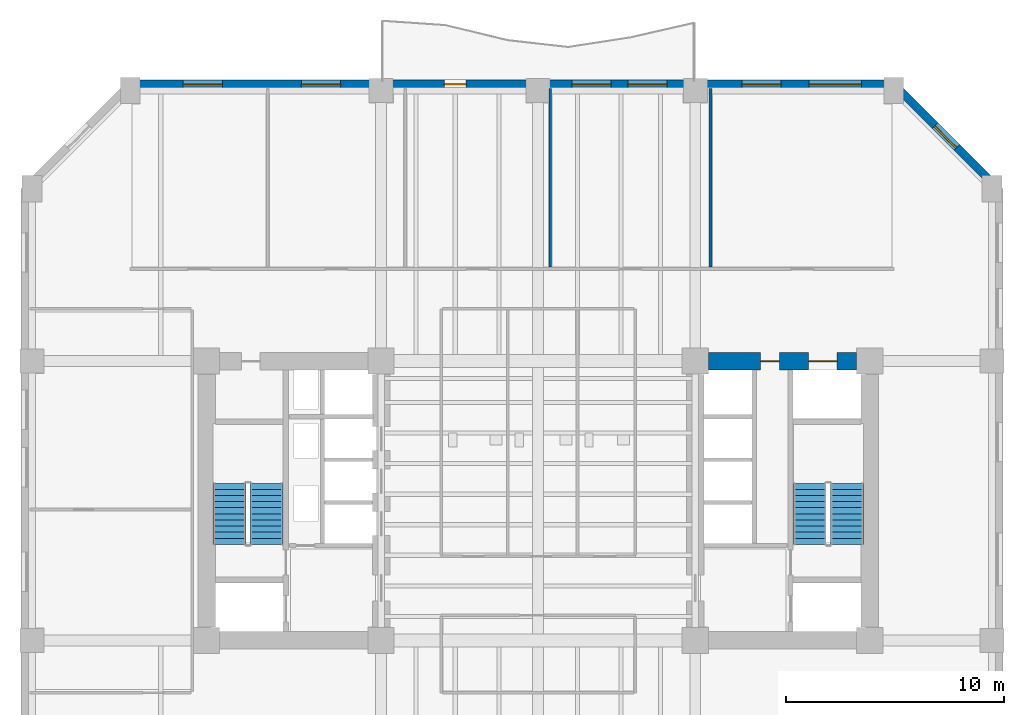
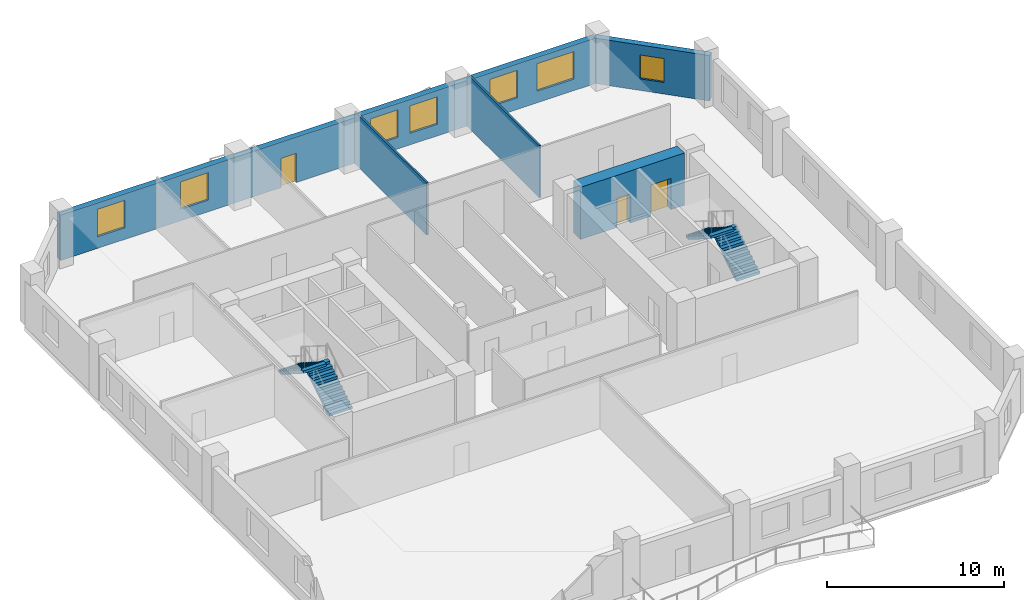
# One storey, part 5 of 9: 7 windows, 5 walls, 4 stair flights, 3 doors, 10 openings, 2 elements without a shape of their own.
"""IFC4 building model written with IfcOpenShell, lengths in metres."""

from ifc_helpers import new_model, si_unit, direction, frame, frame_2d, origin, place, context, subcontext, project, spatial, polyline, rectangle, outline, extrude, material, layer, layer_set, type_object, element, fill, aggregate, save


model = new_model("IFC4")

# Units and contexts
model_context = context("Model", 3, precision=1e-05, world=origin(), true_north=direction((0.0, 1.0)))
body_context = subcontext(model_context, "Body", "Model", "MODEL_VIEW")
ifc_project = project(units=[si_unit("LENGTHUNIT", "METRE"), si_unit("AREAUNIT", "SQUARE_METRE"), si_unit("VOLUMEUNIT", "CUBIC_METRE"), si_unit("PLANEANGLEUNIT", "RADIAN"), si_unit("MASSUNIT", "GRAM", prefix="KILO")], contexts=[model_context])

# Site, building, storey
site_placement = place(None, origin())
site = spatial("IfcSite", under=ifc_project, at=site_placement, CompositionType="ELEMENT")
building_placement = place(site_placement, origin())
building = spatial("IfcBuilding", under=site, at=building_placement, Name="Kranthara Brick Stack", CompositionType="ELEMENT")
storey_placement = place(building_placement, frame((0.0, 0.0, 28.199951171875)))
storey = spatial("IfcBuildingStorey", under=building, at=storey_placement, Name="L06", CompositionType="ELEMENT", Elevation=28.199951171875)

# Wall, openings, door, windows
ifc_material_1 = material(Name="Kiln-fired clay brick masonry M15", Category="masonry")
ifc_layer_1 = layer(ifc_material_1, 0.3798828125)
ifc_layer_set_1 = layer_set([ifc_layer_1], Name="Kiln-fired clay brick masonry M15")
wall_type_1 = type_object("IfcWallType", Name="WL-BRK-PIER-380", PredefinedType="STANDARD", material=ifc_layer_set_1)
wall_1_placement = place(storey_placement, frame((9.300048828125, 46.2900390625, 0.0), z_axis=(0.0, 0.0, 1.0), x_axis=(1.0, 0.0, 0.0)))
wall_1 = element("IfcWall", 1, at=wall_1_placement, inside=storey, type_object=wall_type_1, Name="L06 Exterior Brick Facade Wall NORTH 1", PredefinedType="STANDARD", context=body_context, shape_type="SweptSolid", body=[
    extrude(rectangle(XDim=35.0, YDim=0.3798828125, at=frame_2d((17.5, 0.0))), origin(), (0.0, 0.0, 1.0), 3.135009765625),
])
opening_1_placement = place(wall_1_placement, frame((14.39990234375, 0.0, 0.0)))
opening_1 = element("IfcOpeningElement", 2, at=opening_1_placement, cuts=wall_1, Name="Opening D03", PredefinedType="OPENING", context=body_context, shape_type="SweptSolid", body=[
    extrude(rectangle(XDim=1.0, YDim=2.02001953125, at=frame_2d((0.5, 1.010009765625))), frame((0.0, 0.199951171875, 0.0), z_axis=(0.0, -1.0, 0.0), x_axis=(1.0, 0.0, 0.0)), (0.0, 0.0, 1.0), 0.39990234375),
])
opening_2_placement = place(wall_1_placement, frame((2.425048828125, 0.0, 0.800048828125)))
opening_2 = element("IfcOpeningElement", 3, at=opening_2_placement, cuts=wall_1, Name="Opening WN01", PredefinedType="OPENING", context=body_context, shape_type="SweptSolid", body=[
    extrude(rectangle(XDim=1.800048828125, YDim=1.89990234375, at=frame_2d((0.89990234375, 0.949951171875))), frame((0.0, 0.199951171875, 0.0), z_axis=(0.0, -1.0, 0.0), x_axis=(1.0, 0.0, 0.0)), (0.0, 0.0, 1.0), 0.39990234375),
])
opening_3_placement = place(wall_1_placement, frame((7.85009765625, 0.0, 0.800048828125)))
opening_3 = element("IfcOpeningElement", 4, at=opening_3_placement, cuts=wall_1, Name="Opening WN01", PredefinedType="OPENING", context=body_context, shape_type="SweptSolid", body=[
    extrude(rectangle(XDim=1.800048828125, YDim=1.89990234375, at=frame_2d((0.89990234375, 0.949951171875))), frame((0.0, 0.199951171875, 0.0), z_axis=(0.0, -1.0, 0.0), x_axis=(1.0, 0.0, 0.0)), (0.0, 0.0, 1.0), 0.39990234375),
])
opening_4_placement = place(wall_1_placement, frame((20.240966796875, 0.0, 0.800048828125)))
opening_4 = element("IfcOpeningElement", 5, at=opening_4_placement, cuts=wall_1, Name="Opening WN01", PredefinedType="OPENING", context=body_context, shape_type="SweptSolid", body=[
    extrude(rectangle(XDim=1.800048828125, YDim=1.89990234375, at=frame_2d((0.89990234375, 0.949951171875))), frame((0.0, 0.199951171875, 0.0), z_axis=(0.0, -1.0, 0.0), x_axis=(1.0, 0.0, 0.0)), (0.0, 0.0, 1.0), 0.39990234375),
])
opening_5_placement = place(wall_1_placement, frame((22.80908203125, 0.0, 0.800048828125)))
opening_5 = element("IfcOpeningElement", 6, at=opening_5_placement, cuts=wall_1, Name="Opening WN01", PredefinedType="OPENING", context=body_context, shape_type="SweptSolid", body=[
    extrude(rectangle(XDim=1.800048828125, YDim=1.89990234375, at=frame_2d((0.89990234375, 0.949951171875))), frame((0.0, 0.199951171875, 0.0), z_axis=(0.0, -1.0, 0.0), x_axis=(1.0, 0.0, 0.0)), (0.0, 0.0, 1.0), 0.39990234375),
])
opening_6_placement = place(wall_1_placement, frame((28.032958984375, 0.0, 0.800048828125)))
opening_6 = element("IfcOpeningElement", 7, at=opening_6_placement, cuts=wall_1, Name="Opening WN01", PredefinedType="OPENING", context=body_context, shape_type="SweptSolid", body=[
    extrude(rectangle(XDim=1.800048828125, YDim=1.89990234375, at=frame_2d((0.89990234375, 0.949951171875))), frame((0.0, 0.199951171875, 0.0), z_axis=(0.0, -1.0, 0.0), x_axis=(1.0, 0.0, 0.0)), (0.0, 0.0, 1.0), 0.39990234375),
])
opening_7_placement = place(wall_1_placement, frame((31.116943359375, 0.0, 0.800048828125)))
opening_7 = element("IfcOpeningElement", 8, at=opening_7_placement, cuts=wall_1, Name="Opening WN02", PredefinedType="OPENING", context=body_context, shape_type="SweptSolid", body=[
    extrude(rectangle(XDim=2.39990234375, YDim=1.89990234375, at=frame_2d((1.199951171875, 0.949951171875))), frame((0.0, 0.199951171875, 0.0), z_axis=(0.0, -1.0, 0.0), x_axis=(1.0, 0.0, 0.0)), (0.0, 0.0, 1.0), 0.39990234375),
])
ifc_material_2 = material(Name="Bronze anodised aluminium and laminated glass", Category="aluminium")
door_type_1 = type_object("IfcDoorType", Name="DR-BALC-1000", OperationType="NOTDEFINED", PredefinedType="DOOR", material=ifc_material_2)
door_1_placement = place(opening_1_placement, origin())
door_1 = element("IfcDoor", 9, at=door_1_placement, inside=storey, type_object=door_type_1, Name="L06 North Balcony Terrace Door", OperationType="SINGLE_SWING_RIGHT", OverallHeight=2.02001953125, OverallWidth=1.0, PredefinedType="DOOR", context=body_context, shape_type="SweptSolid", body=[
    extrude(rectangle(XDim=1.0, YDim=2.02001953125, at=frame_2d((0.5, 1.010009765625))), frame((0.0, 0.02490234375, 0.0), z_axis=(0.0, -1.0, 0.0), x_axis=(1.0, 0.0, 0.0)), (0.0, 0.0, 1.0), 0.050048828125),
])
fill(opening_1, door_1)
ifc_material_3 = material(Name="Double-glazed low-E solar control glass", Category="glass")
window_type_1 = type_object("IfcWindowType", Name="WN-OFF-1800x2000", PartitioningType="SINGLE_PANEL", PredefinedType="WINDOW", material=ifc_material_3)
window_1_placement = place(opening_2_placement, origin())
window_1 = element("IfcWindow", 10, at=window_1_placement, inside=storey, type_object=window_type_1, Name="L06 North Deep-Set Brick Window 01", OverallHeight=1.89990234375, OverallWidth=1.800048828125, PartitioningType="SINGLE_PANEL", PredefinedType="WINDOW", context=body_context, shape_type="SweptSolid", body=[
    extrude(rectangle(XDim=1.800048828125, YDim=1.89990234375, at=frame_2d((0.89990234375, 0.949951171875))), frame((0.0, -0.010009765625, 0.0), z_axis=(0.0, -1.0, 0.0), x_axis=(1.0, 0.0, 0.0)), (0.0, 0.0, 1.0), 0.06005859375),
])
fill(opening_2, window_1)
window_2_placement = place(opening_3_placement, origin())
window_2 = element("IfcWindow", 11, at=window_2_placement, inside=storey, type_object=window_type_1, Name="L06 North Deep-Set Brick Window 02", OverallHeight=1.89990234375, OverallWidth=1.800048828125, PartitioningType="SINGLE_PANEL", PredefinedType="WINDOW", context=body_context, shape_type="SweptSolid", body=[
    extrude(rectangle(XDim=1.800048828125, YDim=1.89990234375, at=frame_2d((0.89990234375, 0.949951171875))), frame((0.0, -0.010009765625, 0.0), z_axis=(0.0, -1.0, 0.0), x_axis=(1.0, 0.0, 0.0)), (0.0, 0.0, 1.0), 0.06005859375),
])
fill(opening_3, window_2)
window_3_placement = place(opening_4_placement, origin())
window_3 = element("IfcWindow", 12, at=window_3_placement, inside=storey, type_object=window_type_1, Name="L06 North Deep-Set Brick Window 03", OverallHeight=1.89990234375, OverallWidth=1.800048828125, PartitioningType="SINGLE_PANEL", PredefinedType="WINDOW", context=body_context, shape_type="SweptSolid", body=[
    extrude(rectangle(XDim=1.800048828125, YDim=1.89990234375, at=frame_2d((0.89990234375, 0.949951171875))), frame((0.0, -0.010009765625, 0.0), z_axis=(0.0, -1.0, 0.0), x_axis=(1.0, 0.0, 0.0)), (0.0, 0.0, 1.0), 0.06005859375),
])
fill(opening_4, window_3)
window_4_placement = place(opening_5_placement, origin())
window_4 = element("IfcWindow", 13, at=window_4_placement, inside=storey, type_object=window_type_1, Name="L06 North Deep-Set Brick Window 04", OverallHeight=1.89990234375, OverallWidth=1.800048828125, PartitioningType="SINGLE_PANEL", PredefinedType="WINDOW", context=body_context, shape_type="SweptSolid", body=[
    extrude(rectangle(XDim=1.800048828125, YDim=1.89990234375, at=frame_2d((0.89990234375, 0.949951171875))), frame((0.0, -0.010009765625, 0.0), z_axis=(0.0, -1.0, 0.0), x_axis=(1.0, 0.0, 0.0)), (0.0, 0.0, 1.0), 0.06005859375),
])
fill(opening_5, window_4)
window_5_placement = place(opening_6_placement, origin())
window_5 = element("IfcWindow", 14, at=window_5_placement, inside=storey, type_object=window_type_1, Name="L06 North Deep-Set Brick Window 05", OverallHeight=1.89990234375, OverallWidth=1.800048828125, PartitioningType="SINGLE_PANEL", PredefinedType="WINDOW", context=body_context, shape_type="SweptSolid", body=[
    extrude(rectangle(XDim=1.800048828125, YDim=1.89990234375, at=frame_2d((0.89990234375, 0.949951171875))), frame((0.0, -0.010009765625, 0.0), z_axis=(0.0, -1.0, 0.0), x_axis=(1.0, 0.0, 0.0)), (0.0, 0.0, 1.0), 0.06005859375),
])
fill(opening_6, window_5)
ifc_material_4 = material(Name="Double-glazed low-E solar control glass", Category="glass")
window_type_2 = type_object("IfcWindowType", Name="WN-OFF-2400x2000", PartitioningType="DOUBLE_PANEL_VERTICAL", PredefinedType="WINDOW", material=ifc_material_4)
window_6_placement = place(opening_7_placement, origin())
window_6 = element("IfcWindow", 15, at=window_6_placement, inside=storey, type_object=window_type_2, Name="L06 North Deep-Set Brick Window 06", OverallHeight=1.89990234375, OverallWidth=2.39990234375, PartitioningType="SINGLE_PANEL", PredefinedType="WINDOW", context=body_context, shape_type="SweptSolid", body=[
    extrude(rectangle(XDim=2.39990234375, YDim=1.89990234375, at=frame_2d((1.199951171875, 0.949951171875))), frame((0.0, -0.010009765625, 0.0), z_axis=(0.0, -1.0, 0.0), x_axis=(1.0, 0.0, 0.0)), (0.0, 0.0, 1.0), 0.06005859375),
])
fill(opening_7, window_6)

# Wall, opening, window
wall_2_placement = place(storey_placement, frame((44.300048828125, 46.2900390625, 0.0), z_axis=(0.0, 0.0, 1.0), x_axis=(0.707106781187, -0.707106781187, 0.0)))
wall_2 = element("IfcWall", 16, at=wall_2_placement, inside=storey, type_object=wall_type_1, Name="L06 Exterior Brick Facade Wall NE 1", PredefinedType="STANDARD", context=body_context, shape_type="SweptSolid", body=[
    extrude(rectangle(XDim=6.774169921875, YDim=0.3798828125, at=frame_2d((3.38720703125, 0.0))), origin(), (0.0, 0.0, 1.0), 3.135009765625),
])
opening_8_placement = place(wall_2_placement, frame((2.68701171875, 0.0, 0.800048828125)))
opening_8 = element("IfcOpeningElement", 17, at=opening_8_placement, cuts=wall_2, Name="Opening WN10", PredefinedType="OPENING", context=body_context, shape_type="SweptSolid", body=[
    extrude(rectangle(XDim=1.39990234375, YDim=1.64990234375, at=frame_2d((0.699951171875, 0.824951171875))), frame((0.0, 0.199951171875, 0.0), z_axis=(0.0, -1.0, 0.0), x_axis=(1.0, 0.0, 0.0)), (0.0, 0.0, 1.0), 0.39990234375),
])
ifc_material_5 = material(Name="Double-glazed low-E solar control glass", Category="glass")
window_type_3 = type_object("IfcWindowType", Name="WN-CHM-1400x1750", PartitioningType="SINGLE_PANEL", PredefinedType="WINDOW", material=ifc_material_5)
window_7_placement = place(opening_8_placement, origin())
window_7 = element("IfcWindow", 18, at=window_7_placement, inside=storey, type_object=window_type_3, Name="L06 NE Chamfer Corner Window", OverallHeight=1.64990234375, OverallWidth=1.39990234375, PartitioningType="SINGLE_PANEL", PredefinedType="WINDOW", context=body_context, shape_type="SweptSolid", body=[
    extrude(rectangle(XDim=1.39990234375, YDim=1.64990234375, at=frame_2d((0.699951171875, 0.824951171875))), frame((0.0, -0.010009765625, 0.0), z_axis=(0.0, -1.0, 0.0), x_axis=(1.0, 0.0, 0.0)), (0.0, 0.0, 1.0), 0.06005859375),
])
fill(opening_8, window_7)

# Wall, openings, doors
ifc_material_6 = material(Name="Concrete C70/85", Category="concrete")
ifc_layer_2 = layer(ifc_material_6, 0.800048828125)
ifc_layer_set_2 = layer_set([ifc_layer_2], Name="Concrete C70/85")
wall_type_2 = type_object("IfcWallType", Name="WL-CORE-800", PredefinedType="SHEAR", material=ifc_layer_set_2)
wall_3_placement = place(storey_placement, frame((35.804931640625, 33.60009765625, 0.0), z_axis=(0.0, 0.0, 1.0), x_axis=(1.0, 0.0, 0.0)))
wall_3 = element("IfcWall", 19, at=wall_3_placement, inside=storey, type_object=wall_type_2, Name="L06 East Core Shear Wall North", PredefinedType="SHEAR", context=body_context, shape_type="SweptSolid", body=[
    extrude(rectangle(XDim=6.7900390625, YDim=0.800048828125, at=frame_2d((3.39501953125, 0.0))), origin(), (0.0, 0.0, 1.0), 3.60009765625),
])
opening_9_placement = place(wall_3_placement, frame((4.594970703125, 0.0, 0.0)))
opening_9 = element("IfcOpeningElement", 20, at=opening_9_placement, cuts=wall_3, Name="Opening LD03", PredefinedType="OPENING", context=body_context, shape_type="SweptSolid", body=[
    extrude(rectangle(XDim=1.300048828125, YDim=2.14990234375, at=frame_2d((0.64990234375, 1.074951171875))), frame((0.0, 0.409912109375, 0.0), z_axis=(0.0, -1.0, 0.0), x_axis=(1.0, 0.0, 0.0)), (0.0, 0.0, 1.0), 0.820068359375),
])
opening_10_placement = place(wall_3_placement, frame((2.39501953125, 0.0, 0.0)))
opening_10 = element("IfcOpeningElement", 21, at=opening_10_placement, cuts=wall_3, Name="Opening D10", PredefinedType="OPENING", context=body_context, shape_type="SweptSolid", body=[
    extrude(rectangle(XDim=0.85009765625, YDim=2.02001953125, at=frame_2d((0.425048828125, 1.010009765625))), frame((0.0, 0.409912109375, 0.0), z_axis=(0.0, -1.0, 0.0), x_axis=(1.0, 0.0, 0.0)), (0.0, 0.0, 1.0), 0.820068359375),
])
ifc_material_7 = material(Name="Stainless steel sliding landing door", Category="steel")
door_type_2 = type_object("IfcDoorType", Name="DR-LD-SV1300", OperationType="DOUBLE_DOOR_SLIDING", PredefinedType="DOOR", material=ifc_material_7)
door_2_placement = place(opening_9_placement, origin())
door_2 = element("IfcDoor", 22, at=door_2_placement, inside=storey, type_object=door_type_2, Name="L06 Stretcher Service Lift SV-01 Landing Door", OperationType="DOUBLE_DOOR_SLIDING", OverallHeight=2.14990234375, OverallWidth=1.300048828125, PredefinedType="DOOR", context=body_context, shape_type="SweptSolid", body=[
    extrude(rectangle(XDim=1.300048828125, YDim=2.14990234375, at=frame_2d((0.64990234375, 1.074951171875))), frame((0.0, 0.02490234375, 0.0), z_axis=(0.0, -1.0, 0.0), x_axis=(1.0, 0.0, 0.0)), (0.0, 0.0, 1.0), 0.050048828125),
])
fill(opening_9, door_2)
ifc_material_8 = material(Name="Solid-core hardwood timber leaf in steel frame", Category="steel")
door_type_3 = type_object("IfcDoorType", Name="DR-RSR-850", OperationType="NOTDEFINED", PredefinedType="DOOR", material=ifc_material_8)
door_3_placement = place(opening_10_placement, origin())
door_3 = element("IfcDoor", 23, at=door_3_placement, inside=storey, type_object=door_type_3, Name="L06 East Core Service Room Door", OperationType="SINGLE_SWING_LEFT", OverallHeight=2.02001953125, OverallWidth=0.85009765625, PredefinedType="DOOR", context=body_context, shape_type="SweptSolid", body=[
    extrude(rectangle(XDim=0.85009765625, YDim=2.02001953125, at=frame_2d((0.425048828125, 1.010009765625))), frame((0.0, 0.02490234375, 0.0), z_axis=(0.0, -1.0, 0.0), x_axis=(1.0, 0.0, 0.0)), (0.0, 0.0, 1.0), 0.050048828125),
])
fill(opening_10, door_3)

# Walls
ifc_material_9 = material(Name="Acoustic gypsum plasterboard partition", Category="other")
ifc_layer_3 = layer(ifc_material_9, 0.1201171875)
ifc_layer_set_3 = layer_set([ifc_layer_3], Name="Acoustic gypsum plasterboard partition")
wall_type_3 = type_object("IfcWallType", Name="WL-PART-120", PredefinedType="PARTITIONING", material=ifc_layer_set_3)
for number, where, z_axis, x_axis, name in (
    (24, (28.550048828125, 37.919921875, 0.0), (0.0, 0.0, 1.0), (0.0, 1.0, 0.0), "L06 Interior Partition 016"),
    (25, (35.89990234375, 37.919921875, 0.0), (0.0, 0.0, 1.0), (0.0, 1.0, 0.0), "L06 Interior Partition 017"),
):
    element("IfcWall", number, at=place(storey_placement, frame(where, z_axis=z_axis, x_axis=x_axis)), inside=storey, type_object=wall_type_3, Name=name, PredefinedType="PARTITIONING", context=body_context, shape_type="SweptSolid", body=[
        extrude(rectangle(XDim=8.175048828125, YDim=0.1201171875, at=frame_2d((4.08740234375, 0.0))), origin(), (0.0, 0.0, 1.0), 3.60009765625),
    ])

# Stair, stair flights
ifc_material_10 = material(Name="Concrete C45/55", Category="concrete")
stair_type = type_object("IfcStairType", Name="ST-CORE-22R", PredefinedType="HALF_TURN_STAIR", material=ifc_material_10)
stair_1_placement = place(storey_placement, origin())
stair_1 = element("IfcStair", 26, at=stair_1_placement, inside=storey, type_object=stair_type, Name="L06 West Core Protected Exit Stair ST01", PredefinedType="HALF_TURN_STAIR")
ifc_material_11 = material(Name="Concrete C45/55", Category="concrete")
stair_flight_type = type_object("IfcStairFlightType", Name="SFL-RC-22R", PredefinedType="STRAIGHT", material=ifc_material_11)
stair_flight_1_placement = place(storey_placement, frame((15.550048828125, 25.199951171875, 0.0), z_axis=(0.0, 0.0, 1.0), x_axis=(0.0, 1.0, 0.0)))
stair_flight_1 = element("IfcStairFlight", 27, at=stair_flight_1_placement, type_object=stair_flight_type, Name="ST01 flight 1", NumberOfRisers=11, NumberOfTreads=10, PredefinedType="STRAIGHT", RiserHeight=0.177272727, TreadLength=0.28, context=body_context, shape_type="SweptSolid", body=[
    extrude(outline(polyline([(0.0, 0.0), (0.0, 0.17724609375), (0.280029296875, 0.17724609375), (0.280029296875, 0.3544921875), (0.56005859375, 0.3544921875), (0.56005859375, 0.53173828125), (0.840087890625, 0.53173828125), (0.840087890625, 0.708984375), (1.1201171875, 0.708984375), (1.1201171875, 0.886474609375), (1.39990234375, 0.886474609375), (1.39990234375, 1.063720703125), (1.679931640625, 1.063720703125), (1.679931640625, 1.240966796875), (1.9599609375, 1.240966796875), (1.9599609375, 1.418212890625), (2.239990234375, 1.418212890625), (2.239990234375, 1.595458984375), (2.52001953125, 1.595458984375), (2.52001953125, 1.772705078125), (2.800048828125, 1.772705078125), (2.800048828125, 1.949951171875), (2.800048828125, 1.59521484375), (0.2802734375, 0.0), (0.0, 0.0)])), frame((0.0, 0.75, 0.0), z_axis=(0.0, -1.0, 0.0), x_axis=(1.0, 0.0, 0.0)), (0.0, 0.0, 1.0), 1.5),
])
stair_flight_2_placement = place(storey_placement, frame((13.85009765625, 28.0, 1.949951171875), z_axis=(0.0, 0.0, 1.0), x_axis=(0.0, -1.0, 0.0)))
stair_flight_2 = element("IfcStairFlight", 28, at=stair_flight_2_placement, type_object=stair_flight_type, Name="ST01 flight 2", NumberOfRisers=11, NumberOfTreads=10, PredefinedType="STRAIGHT", RiserHeight=0.177272727, TreadLength=0.28, context=body_context, shape_type="SweptSolid", body=[
    extrude(outline(polyline([(0.0, 0.0), (0.0, 0.17724609375), (0.280029296875, 0.17724609375), (0.280029296875, 0.3544921875), (0.56005859375, 0.3544921875), (0.56005859375, 0.53173828125), (0.840087890625, 0.53173828125), (0.840087890625, 0.708984375), (1.1201171875, 0.708984375), (1.1201171875, 0.886474609375), (1.39990234375, 0.886474609375), (1.39990234375, 1.063720703125), (1.679931640625, 1.063720703125), (1.679931640625, 1.240966796875), (1.9599609375, 1.240966796875), (1.9599609375, 1.418212890625), (2.239990234375, 1.418212890625), (2.239990234375, 1.595458984375), (2.52001953125, 1.595458984375), (2.52001953125, 1.772705078125), (2.800048828125, 1.772705078125), (2.800048828125, 1.949951171875), (2.800048828125, 1.59521484375), (0.2802734375, 0.0), (0.0, 0.0)])), frame((0.0, 0.75, 0.0), z_axis=(0.0, -1.0, 0.0), x_axis=(1.0, 0.0, 0.0)), (0.0, 0.0, 1.0), 1.5),
])
aggregate(stair_1, [stair_flight_1, stair_flight_2])

stair_2_placement = place(storey_placement, origin())
stair_2 = element("IfcStair", 29, at=stair_2_placement, inside=storey, type_object=stair_type, Name="L06 East Core Protected Exit Stair ST02", PredefinedType="HALF_TURN_STAIR")
stair_flight_3_placement = place(storey_placement, frame((42.14990234375, 25.199951171875, 0.0), z_axis=(0.0, 0.0, 1.0), x_axis=(0.0, 1.0, 0.0)))
stair_flight_3 = element("IfcStairFlight", 30, at=stair_flight_3_placement, type_object=stair_flight_type, Name="ST02 flight 1", NumberOfRisers=11, NumberOfTreads=10, PredefinedType="STRAIGHT", RiserHeight=0.177272727, TreadLength=0.28, context=body_context, shape_type="SweptSolid", body=[
    extrude(outline(polyline([(0.0, 0.0), (0.0, 0.17724609375), (0.280029296875, 0.17724609375), (0.280029296875, 0.3544921875), (0.56005859375, 0.3544921875), (0.56005859375, 0.53173828125), (0.840087890625, 0.53173828125), (0.840087890625, 0.708984375), (1.1201171875, 0.708984375), (1.1201171875, 0.886474609375), (1.39990234375, 0.886474609375), (1.39990234375, 1.063720703125), (1.679931640625, 1.063720703125), (1.679931640625, 1.240966796875), (1.9599609375, 1.240966796875), (1.9599609375, 1.418212890625), (2.239990234375, 1.418212890625), (2.239990234375, 1.595458984375), (2.52001953125, 1.595458984375), (2.52001953125, 1.772705078125), (2.800048828125, 1.772705078125), (2.800048828125, 1.949951171875), (2.800048828125, 1.59521484375), (0.2802734375, 0.0), (0.0, 0.0)])), frame((0.0, 0.75, 0.0), z_axis=(0.0, -1.0, 0.0), x_axis=(1.0, 0.0, 0.0)), (0.0, 0.0, 1.0), 1.5),
])
stair_flight_4_placement = place(storey_placement, frame((40.449951171875, 28.0, 1.949951171875), z_axis=(0.0, 0.0, 1.0), x_axis=(0.0, -1.0, 0.0)))
stair_flight_4 = element("IfcStairFlight", 31, at=stair_flight_4_placement, type_object=stair_flight_type, Name="ST02 flight 2", NumberOfRisers=11, NumberOfTreads=10, PredefinedType="STRAIGHT", RiserHeight=0.177272727, TreadLength=0.28, context=body_context, shape_type="SweptSolid", body=[
    extrude(outline(polyline([(0.0, 0.0), (0.0, 0.17724609375), (0.280029296875, 0.17724609375), (0.280029296875, 0.3544921875), (0.56005859375, 0.3544921875), (0.56005859375, 0.53173828125), (0.840087890625, 0.53173828125), (0.840087890625, 0.708984375), (1.1201171875, 0.708984375), (1.1201171875, 0.886474609375), (1.39990234375, 0.886474609375), (1.39990234375, 1.063720703125), (1.679931640625, 1.063720703125), (1.679931640625, 1.240966796875), (1.9599609375, 1.240966796875), (1.9599609375, 1.418212890625), (2.239990234375, 1.418212890625), (2.239990234375, 1.595458984375), (2.52001953125, 1.595458984375), (2.52001953125, 1.772705078125), (2.800048828125, 1.772705078125), (2.800048828125, 1.949951171875), (2.800048828125, 1.59521484375), (0.2802734375, 0.0), (0.0, 0.0)])), frame((0.0, 0.75, 0.0), z_axis=(0.0, -1.0, 0.0), x_axis=(1.0, 0.0, 0.0)), (0.0, 0.0, 1.0), 1.5),
])
aggregate(stair_2, [stair_flight_3, stair_flight_4])

save(model, "model.ifc")
